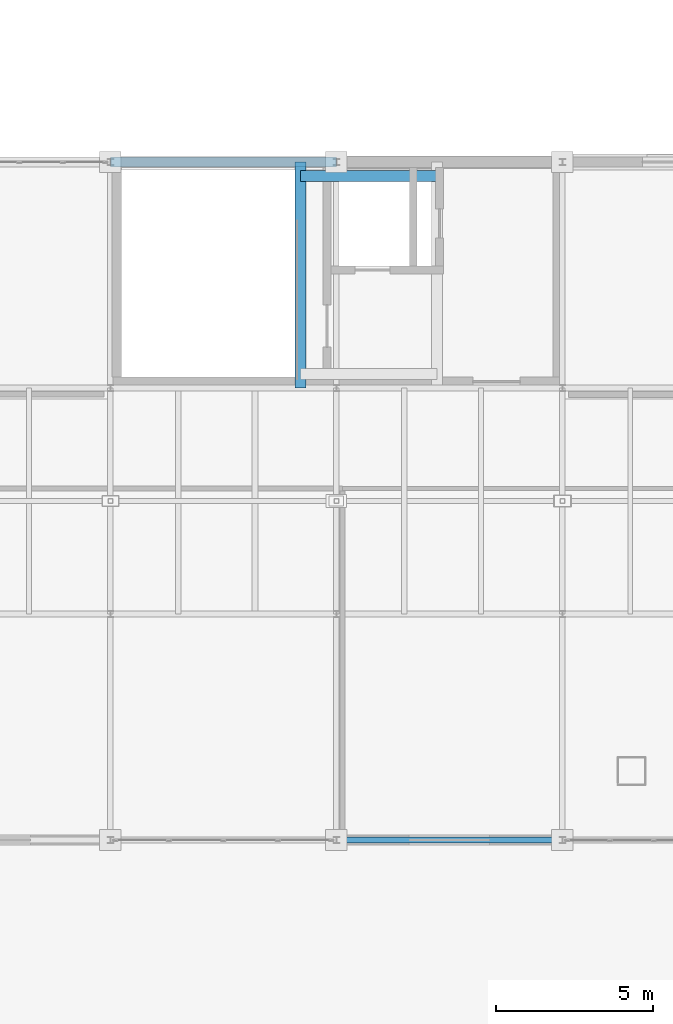
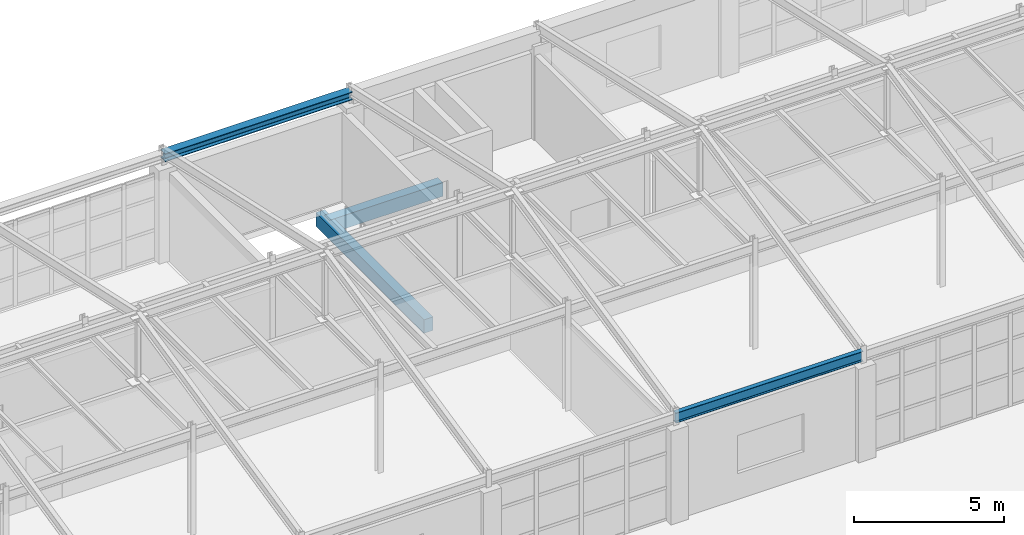
# One storey, part 59 of 101: 4 beams.
"""IFC4 building model written with IfcOpenShell, lengths in metres."""

from ifc_helpers import new_model, si_unit, direction, frame, origin, origin_2d, place, context, subcontext, project, spatial, rectangle, i_section, extrude, material, material_profile, profile_set, type_object, element, save


model = new_model("IFC4")

# Units and contexts
model_context = context("Model", 3, precision=1e-05, world=origin(), true_north=direction((0.0, 1.0)))
body_context = subcontext(model_context, "Body", "Model", "MODEL_VIEW")
ifc_project = project(units=[si_unit("LENGTHUNIT", "METRE"), si_unit("AREAUNIT", "SQUARE_METRE"), si_unit("VOLUMEUNIT", "CUBIC_METRE"), si_unit("PLANEANGLEUNIT", "RADIAN"), si_unit("MASSUNIT", "GRAM", prefix="KILO")], contexts=[model_context])

# Site, building, storey
site_placement = place(None, origin())
site = spatial("IfcSite", under=ifc_project, at=site_placement, CompositionType="ELEMENT")
building_placement = place(site_placement, origin())
building = spatial("IfcBuilding", under=site, at=building_placement, Name="Kemerveld Promenade Tramway Depot", CompositionType="ELEMENT")
storey_placement = place(building_placement, frame((0.0, 0.0, 9.89990234375)))
storey = spatial("IfcBuildingStorey", under=building, at=storey_placement, Name="L02", CompositionType="ELEMENT", Elevation=9.89990234375)

# Beams
ifc_material_1 = material(Name="Steel S355", Category="steel")
ifc_material_profile_1 = material_profile(ifc_material_1, i_section(OverallWidth=0.1787109375, OverallDepth=0.409423828125, WebThickness=0.0087890625, FlangeThickness=0.014404296875, FilletRadius=0.01025390625, at=origin_2d()), Name="406x178x67 UB")
ifc_profile_set_1 = profile_set([ifc_material_profile_1], Name="Steel S355")
beam_type_1 = type_object("IfcBeamType", Name="BM-G07", PredefinedType="BEAM", material=ifc_profile_set_1)
beam_1_placement = place(storey_placement, frame((93.60009765625, 7.199951171875, 4.0703125), z_axis=(1.0, 0.0, 0.0), x_axis=(0.0, 1.0, 0.0)))
element("IfcBeam", 1, at=beam_1_placement, inside=storey, type_object=beam_type_1, Name="BMX-L02-14-15-B", PredefinedType="BEAM", context=body_context, shape_type="SweptSolid", body=[
    extrude(i_section(OverallWidth=0.1787109375, OverallDepth=0.409423828125, WebThickness=0.0087890625, FlangeThickness=0.014404296875, FilletRadius=0.01025390625, at=origin_2d()), origin(), (0.0, 0.0, 1.0), 7.199951171875),
])
ifc_material_profile_2 = material_profile(ifc_material_1, i_section(OverallWidth=0.311279296875, OverallDepth=0.3271484375, WebThickness=0.015869140625, FlangeThickness=0.02490234375, FilletRadius=0.01513671875, at=origin_2d()), Name="305x305x158 UC")
ifc_profile_set_2 = profile_set([ifc_material_profile_2], Name="Steel S355")
beam_type_2 = type_object("IfcBeamType", Name="BM-G13", PredefinedType="BEAM", material=ifc_profile_set_2)
beam_2_placement = place(storey_placement, frame((86.39990234375, 28.800048828125, 4.111572265625), z_axis=(1.0, 0.0, 0.0), x_axis=(0.0, 1.0, 0.0)))
element("IfcBeam", 2, at=beam_2_placement, inside=storey, type_object=beam_type_2, Name="BMX-L02-13-14-E", PredefinedType="BEAM", context=body_context, shape_type="SweptSolid", body=[
    extrude(i_section(OverallWidth=0.311279296875, OverallDepth=0.3271484375, WebThickness=0.015869140625, FlangeThickness=0.02490234375, FilletRadius=0.01513671875, at=origin_2d()), origin(), (0.0, 0.0, 1.0), 7.2001953125),
])
ifc_material_2 = material(Name="Concrete C40/50", Category="concrete")
ifc_material_profile_3 = material_profile(ifc_material_2, rectangle(XDim=0.35009765625, YDim=0.550048828125, at=origin_2d()), Name="RC-BM-350x550")
ifc_profile_set_3 = profile_set([ifc_material_profile_3], Name="Concrete C40/50")
beam_type_3 = type_object("IfcBeamType", Name="BM-RC3", PredefinedType="BEAM", material=ifc_profile_set_3)
beam_3_placement = place(storey_placement, frame((92.449951171875, 21.60009765625, -0.52978515625), z_axis=(0.0, 1.0, 0.0), x_axis=(-1.0, 0.0, 0.0)))
element("IfcBeam", 3, at=beam_3_placement, inside=storey, type_object=beam_type_3, Name="BM-CORE-C4-L02-W", PredefinedType="BEAM", context=body_context, shape_type="SweptSolid", body=[
    extrude(rectangle(XDim=0.35009765625, YDim=0.550048828125, at=origin_2d()), origin(), (0.0, 0.0, 1.0), 7.199951171875),
])
beam_4_placement = place(storey_placement, frame((92.449951171875, 28.35009765625, -0.52978515625), z_axis=(1.0, 0.0, 0.0), x_axis=(0.0, 1.0, 0.0)))
element("IfcBeam", 4, at=beam_4_placement, inside=storey, type_object=beam_type_3, Name="BM-COREX-C4-L02-N", PredefinedType="BEAM", context=body_context, shape_type="SweptSolid", body=[
    extrude(rectangle(XDim=0.35009765625, YDim=0.550048828125, at=origin_2d()), origin(), (0.0, 0.0, 1.0), 4.35009765625),
])

save(model, "model.ifc")
